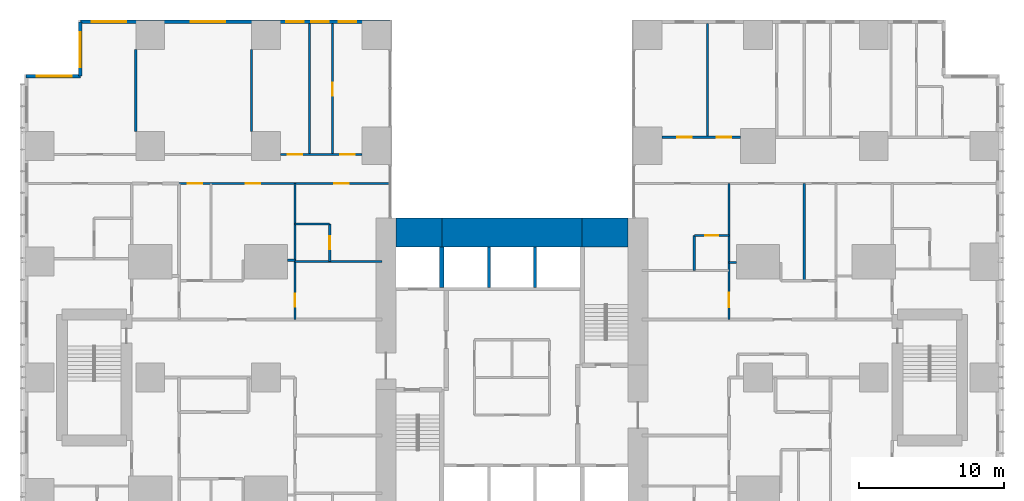
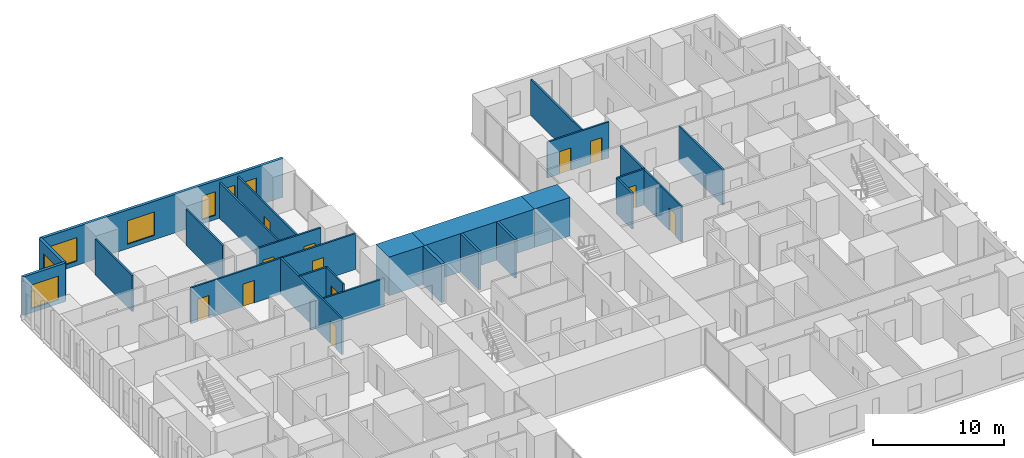
# One storey, part 17 of 20: 27 walls, 12 doors, 7 windows, 19 openings.
"""IFC4 building model written with IfcOpenShell, lengths in metres."""

from ifc_helpers import new_model, si_unit, direction, frame, frame_2d, origin, place, context, subcontext, project, spatial, rectangle, extrude, material, layer, layer_set, type_object, element, fill, save


model = new_model("IFC4")

# Units and contexts
model_context = context("Model", 3, precision=1e-05, world=origin(), true_north=direction((0.0, 1.0)))
body_context = subcontext(model_context, "Body", "Model", "MODEL_VIEW")
ifc_project = project(units=[si_unit("LENGTHUNIT", "METRE"), si_unit("AREAUNIT", "SQUARE_METRE"), si_unit("VOLUMEUNIT", "CUBIC_METRE"), si_unit("PLANEANGLEUNIT", "RADIAN"), si_unit("MASSUNIT", "GRAM", prefix="KILO")], contexts=[model_context])

# Site, building, storey
site_placement = place(None, origin())
site = spatial("IfcSite", under=ifc_project, at=site_placement, CompositionType="ELEMENT")
building_placement = place(site_placement, origin())
building = spatial("IfcBuilding", under=site, at=building_placement, Name="Cleftline Residences", CompositionType="ELEMENT")
storey_placement = place(building_placement, frame((0.0, 0.0, 135.800048828125)))
storey = spatial("IfcBuildingStorey", under=building, at=storey_placement, Name="L35", CompositionType="ELEMENT", Elevation=135.800048828125)

# Walls
ifc_material_1 = material(Name="Concrete B70", Category="concrete")
ifc_layer_1 = layer(ifc_material_1, 2.0)
ifc_layer_set_1 = layer_set([ifc_layer_1], Name="CORE WALL 2000")
wall_type_1 = type_object("IfcWallType", Name="CORE WALL 2000", PredefinedType="SHEAR", material=ifc_layer_set_1)
wall_1_placement = place(storey_placement, frame((25.0, 34.0, 0.0), z_axis=(0.0, 0.0, 1.0), x_axis=(1.0, 0.0, 0.0)))
element("IfcWall", 1, at=wall_1_placement, inside=storey, type_object=wall_type_1, Name="Core wall N1", PredefinedType="SHEAR", context=body_context, shape_type="SweptSolid", body=[
    extrude(rectangle(XDim=3.14990234375, YDim=2.0, at=frame_2d((1.574951171875, 0.0))), origin(), (0.0, 0.0, 1.0), 3.599853515625),
])
wall_2_placement = place(storey_placement, frame((28.14990234375, 34.0, 0.0), z_axis=(0.0, 0.0, 1.0), x_axis=(1.0, 0.0, 0.0)))
element("IfcWall", 2, at=wall_2_placement, inside=storey, type_object=wall_type_1, Name="Core wall N2", PredefinedType="SHEAR", context=body_context, shape_type="SweptSolid", body=[
    extrude(rectangle(XDim=9.7001953125, YDim=2.0, at=frame_2d((4.85009765625, 0.0))), origin(), (0.0, 0.0, 1.0), 3.599853515625),
])
wall_3_placement = place(storey_placement, frame((37.85009765625, 34.0, 0.0), z_axis=(0.0, 0.0, 1.0), x_axis=(1.0, 0.0, 0.0)))
element("IfcWall", 3, at=wall_3_placement, inside=storey, type_object=wall_type_1, Name="Core wall N3", PredefinedType="SHEAR", context=body_context, shape_type="SweptSolid", body=[
    extrude(rectangle(XDim=3.14990234375, YDim=2.0, at=frame_2d((1.574951171875, 0.0))), origin(), (0.0, 0.0, 1.0), 3.599853515625),
])
ifc_material_2 = material(Name="Concrete B70", Category="concrete")
ifc_layer_2 = layer(ifc_material_2, 0.300048828125)
ifc_layer_set_2 = layer_set([ifc_layer_2], Name="CORE WALL 300")
wall_type_2 = type_object("IfcWallType", Name="CORE WALL 300", PredefinedType="SHEAR", material=ifc_layer_set_2)
wall_4_placement = place(storey_placement, frame((28.14990234375, 30.199951171875, 0.0), z_axis=(0.0, 0.0, 1.0), x_axis=(0.0, 1.0, 0.0)))
element("IfcWall", 4, at=wall_4_placement, inside=storey, type_object=wall_type_2, Name="Lift shaft wall", PredefinedType="SHEAR", context=body_context, shape_type="SweptSolid", body=[
    extrude(rectangle(XDim=2.800048828125, YDim=0.300048828125, at=frame_2d((1.39990234375, 0.0))), origin(), (0.0, 0.0, 1.0), 3.599853515625),
])

# Wall, openings, windows
ifc_material_3 = material(Name="Rendered reinforced concrete blockwork", Category="masonry")
ifc_layer_3 = layer(ifc_material_3, 0.25)
ifc_layer_set_3 = layer_set([ifc_layer_3], Name="EXTERNAL WALL 250")
wall_type_3 = type_object("IfcWallType", Name="EXTERNAL WALL 250", PredefinedType="SOLIDWALL", material=ifc_layer_set_3)
wall_5_placement = place(storey_placement, frame((24.574951171875, 48.574951171875, 0.0), z_axis=(0.0, 0.0, 1.0), x_axis=(-1.0, 0.0, 0.0)))
wall_5 = element("IfcWall", 5, at=wall_5_placement, inside=storey, type_object=wall_type_3, Name="External wall", PredefinedType="SOLIDWALL", context=body_context, shape_type="SweptSolid", body=[
    extrude(rectangle(XDim=21.39990234375, YDim=0.25, at=frame_2d((10.699951171875, 0.0))), origin(), (0.0, 0.0, 1.0), 3.599853515625),
])
opening_1_placement = place(wall_5_placement, frame((2.35009765625, 0.0, 0.39990234375)))
opening_1 = element("IfcOpeningElement", 6, at=opening_1_placement, cuts=wall_5, Name="Opening W11", PredefinedType="OPENING", context=body_context, shape_type="SweptSolid", body=[
    extrude(rectangle(XDim=1.199951171875, YDim=2.199951171875, at=frame_2d((0.60009765625, 1.10009765625))), frame((0.0, 0.135009765625, 0.0), z_axis=(0.0, -1.0, 0.0), x_axis=(1.0, 0.0, 0.0)), (0.0, 0.0, 1.0), 0.27001953125),
])
opening_2_placement = place(wall_5_placement, frame((4.25, 0.0, 0.39990234375)))
opening_2 = element("IfcOpeningElement", 7, at=opening_2_placement, cuts=wall_5, Name="Opening W11", PredefinedType="OPENING", context=body_context, shape_type="SweptSolid", body=[
    extrude(rectangle(XDim=1.199951171875, YDim=2.199951171875, at=frame_2d((0.60009765625, 1.10009765625))), frame((0.0, 0.135009765625, 0.0), z_axis=(0.0, -1.0, 0.0), x_axis=(1.0, 0.0, 0.0)), (0.0, 0.0, 1.0), 0.27001953125),
])
opening_3_placement = place(wall_5_placement, frame((5.97509765625, 0.0, 0.39990234375)))
opening_3 = element("IfcOpeningElement", 8, at=opening_3_placement, cuts=wall_5, Name="Opening W11", PredefinedType="OPENING", context=body_context, shape_type="SweptSolid", body=[
    extrude(rectangle(XDim=1.199951171875, YDim=2.199951171875, at=frame_2d((0.60009765625, 1.10009765625))), frame((0.0, 0.135009765625, 0.0), z_axis=(0.0, -1.0, 0.0), x_axis=(1.0, 0.0, 0.0)), (0.0, 0.0, 1.0), 0.27001953125),
])
opening_4_placement = place(wall_5_placement, frame((11.375, 0.0, 0.39990234375)))
opening_4 = element("IfcOpeningElement", 9, at=opening_4_placement, cuts=wall_5, Name="Opening W12", PredefinedType="OPENING", context=body_context, shape_type="SweptSolid", body=[
    extrude(rectangle(XDim=2.39990234375, YDim=2.199951171875, at=frame_2d((1.199951171875, 1.10009765625))), frame((0.0, 0.135009765625, 0.0), z_axis=(0.0, -1.0, 0.0), x_axis=(1.0, 0.0, 0.0)), (0.0, 0.0, 1.0), 0.27001953125),
])
opening_5_placement = place(wall_5_placement, frame((18.22509765625, 0.0, 0.39990234375)))
opening_5 = element("IfcOpeningElement", 10, at=opening_5_placement, cuts=wall_5, Name="Opening W12", PredefinedType="OPENING", context=body_context, shape_type="SweptSolid", body=[
    extrude(rectangle(XDim=2.39990234375, YDim=2.199951171875, at=frame_2d((1.199951171875, 1.10009765625))), frame((0.0, 0.135009765625, 0.0), z_axis=(0.0, -1.0, 0.0), x_axis=(1.0, 0.0, 0.0)), (0.0, 0.0, 1.0), 0.27001953125),
])
ifc_material_4 = material(Name="Aluminium frame, clear double glazing", Category="aluminium")
window_type_1 = type_object("IfcWindowType", Name="WINDOW 1200X2200", PartitioningType="DOUBLE_PANEL_VERTICAL", PredefinedType="WINDOW", material=ifc_material_4)
window_1_placement = place(opening_1_placement, origin())
window_1 = element("IfcWindow", 11, at=window_1_placement, inside=storey, type_object=window_type_1, Name="Window", OverallHeight=2.199951171875, OverallWidth=1.199951171875, PartitioningType="SINGLE_PANEL", PredefinedType="WINDOW", context=body_context, shape_type="SweptSolid", body=[
    extrude(rectangle(XDim=1.199951171875, YDim=2.199951171875, at=frame_2d((0.60009765625, 1.10009765625))), frame((0.0, 0.030029296875, 0.0), z_axis=(0.0, -1.0, 0.0), x_axis=(1.0, 0.0, 0.0)), (0.0, 0.0, 1.0), 0.06005859375),
])
fill(opening_1, window_1)
window_2_placement = place(opening_2_placement, origin())
window_2 = element("IfcWindow", 12, at=window_2_placement, inside=storey, type_object=window_type_1, Name="Window", OverallHeight=2.199951171875, OverallWidth=1.199951171875, PartitioningType="SINGLE_PANEL", PredefinedType="WINDOW", context=body_context, shape_type="SweptSolid", body=[
    extrude(rectangle(XDim=1.199951171875, YDim=2.199951171875, at=frame_2d((0.60009765625, 1.10009765625))), frame((0.0, 0.030029296875, 0.0), z_axis=(0.0, -1.0, 0.0), x_axis=(1.0, 0.0, 0.0)), (0.0, 0.0, 1.0), 0.06005859375),
])
fill(opening_2, window_2)
window_3_placement = place(opening_3_placement, origin())
window_3 = element("IfcWindow", 13, at=window_3_placement, inside=storey, type_object=window_type_1, Name="Window", OverallHeight=2.199951171875, OverallWidth=1.199951171875, PartitioningType="SINGLE_PANEL", PredefinedType="WINDOW", context=body_context, shape_type="SweptSolid", body=[
    extrude(rectangle(XDim=1.199951171875, YDim=2.199951171875, at=frame_2d((0.60009765625, 1.10009765625))), frame((0.0, 0.030029296875, 0.0), z_axis=(0.0, -1.0, 0.0), x_axis=(1.0, 0.0, 0.0)), (0.0, 0.0, 1.0), 0.06005859375),
])
fill(opening_3, window_3)
ifc_material_5 = material(Name="Aluminium frame, clear double glazing", Category="aluminium")
window_type_2 = type_object("IfcWindowType", Name="WINDOW 2400X2200", PartitioningType="DOUBLE_PANEL_VERTICAL", PredefinedType="WINDOW", material=ifc_material_5)
window_4_placement = place(opening_4_placement, origin())
window_4 = element("IfcWindow", 14, at=window_4_placement, inside=storey, type_object=window_type_2, Name="Window", OverallHeight=2.199951171875, OverallWidth=2.39990234375, PartitioningType="SINGLE_PANEL", PredefinedType="WINDOW", context=body_context, shape_type="SweptSolid", body=[
    extrude(rectangle(XDim=2.39990234375, YDim=2.199951171875, at=frame_2d((1.199951171875, 1.10009765625))), frame((0.0, 0.030029296875, 0.0), z_axis=(0.0, -1.0, 0.0), x_axis=(1.0, 0.0, 0.0)), (0.0, 0.0, 1.0), 0.06005859375),
])
fill(opening_4, window_4)
window_5_placement = place(opening_5_placement, origin())
window_5 = element("IfcWindow", 15, at=window_5_placement, inside=storey, type_object=window_type_2, Name="Window", OverallHeight=2.199951171875, OverallWidth=2.39990234375, PartitioningType="SINGLE_PANEL", PredefinedType="WINDOW", context=body_context, shape_type="SweptSolid", body=[
    extrude(rectangle(XDim=2.39990234375, YDim=2.199951171875, at=frame_2d((1.199951171875, 1.10009765625))), frame((0.0, 0.030029296875, 0.0), z_axis=(0.0, -1.0, 0.0), x_axis=(1.0, 0.0, 0.0)), (0.0, 0.0, 1.0), 0.06005859375),
])
fill(opening_5, window_5)

# Wall, opening, window
wall_6_placement = place(storey_placement, frame((3.175048828125, 48.574951171875, 0.0), z_axis=(0.0, 0.0, 1.0), x_axis=(0.0, -1.0, 0.0)))
wall_6 = element("IfcWall", 16, at=wall_6_placement, inside=storey, type_object=wall_type_3, Name="External wall", PredefinedType="SOLIDWALL", context=body_context, shape_type="SweptSolid", body=[
    extrude(rectangle(XDim=3.75, YDim=0.25, at=frame_2d((1.875, 0.0))), origin(), (0.0, 0.0, 1.0), 3.599853515625),
])
opening_6_placement = place(wall_6_placement, frame((0.737548828125, 0.0, 0.39990234375)))
opening_6 = element("IfcOpeningElement", 17, at=opening_6_placement, cuts=wall_6, Name="Opening W12", PredefinedType="OPENING", context=body_context, shape_type="SweptSolid", body=[
    extrude(rectangle(XDim=2.39990234375, YDim=2.199951171875, at=frame_2d((1.199951171875, 1.10009765625))), frame((0.0, 0.135009765625, 0.0), z_axis=(0.0, -1.0, 0.0), x_axis=(1.0, 0.0, 0.0)), (0.0, 0.0, 1.0), 0.27001953125),
])
window_6_placement = place(opening_6_placement, origin())
window_6 = element("IfcWindow", 18, at=window_6_placement, inside=storey, type_object=window_type_2, Name="Window", OverallHeight=2.199951171875, OverallWidth=2.39990234375, PartitioningType="SINGLE_PANEL", PredefinedType="WINDOW", context=body_context, shape_type="SweptSolid", body=[
    extrude(rectangle(XDim=2.39990234375, YDim=2.199951171875, at=frame_2d((1.199951171875, 1.10009765625))), frame((0.0, 0.030029296875, 0.0), z_axis=(0.0, -1.0, 0.0), x_axis=(1.0, 0.0, 0.0)), (0.0, 0.0, 1.0), 0.06005859375),
])
fill(opening_6, window_6)

wall_7_placement = place(storey_placement, frame((3.175048828125, 44.824951171875, 0.0), z_axis=(0.0, 0.0, 1.0), x_axis=(-1.0, 0.0, 0.0)))
wall_7 = element("IfcWall", 19, at=wall_7_placement, inside=storey, type_object=wall_type_3, Name="External wall", PredefinedType="SOLIDWALL", context=body_context, shape_type="SweptSolid", body=[
    extrude(rectangle(XDim=3.75, YDim=0.25, at=frame_2d((1.875, 0.0))), origin(), (0.0, 0.0, 1.0), 3.599853515625),
])
opening_7_placement = place(wall_7_placement, frame((0.612548828125, 0.0, 0.39990234375)))
opening_7 = element("IfcOpeningElement", 20, at=opening_7_placement, cuts=wall_7, Name="Opening W12", PredefinedType="OPENING", context=body_context, shape_type="SweptSolid", body=[
    extrude(rectangle(XDim=2.39990234375, YDim=2.199951171875, at=frame_2d((1.199951171875, 1.10009765625))), frame((0.0, 0.135009765625, 0.0), z_axis=(0.0, -1.0, 0.0), x_axis=(1.0, 0.0, 0.0)), (0.0, 0.0, 1.0), 0.27001953125),
])
window_7_placement = place(opening_7_placement, origin())
window_7 = element("IfcWindow", 21, at=window_7_placement, inside=storey, type_object=window_type_2, Name="Window", OverallHeight=2.199951171875, OverallWidth=2.39990234375, PartitioningType="SINGLE_PANEL", PredefinedType="WINDOW", context=body_context, shape_type="SweptSolid", body=[
    extrude(rectangle(XDim=2.39990234375, YDim=2.199951171875, at=frame_2d((1.199951171875, 1.10009765625))), frame((0.0, 0.030029296875, 0.0), z_axis=(0.0, -1.0, 0.0), x_axis=(1.0, 0.0, 0.0)), (0.0, 0.0, 1.0), 0.06005859375),
])
fill(opening_7, window_7)

# Walls
ifc_material_6 = material(Name="Gypsum board on steel studs", Category="steel")
ifc_layer_4 = layer(ifc_material_6, 0.14990234375)
ifc_layer_set_4 = layer_set([ifc_layer_4], Name="PARTITION 150")
wall_type_4 = type_object("IfcWallType", Name="PARTITION 150", PredefinedType="PARTITIONING", material=ifc_layer_set_4)
wall_8_placement = place(storey_placement, frame((48.0, 31.949951171875, 0.0), z_axis=(0.0, 0.0, 1.0), x_axis=(1.0, 0.0, 0.0)))
element("IfcWall", 22, at=wall_8_placement, inside=storey, type_object=wall_type_4, Name="Partition", PredefinedType="PARTITIONING", context=body_context, shape_type="SweptSolid", body=[
    extrude(rectangle(XDim=0.5, YDim=0.14990234375, at=frame_2d((0.25, 0.0))), origin(), (0.0, 0.0, 1.0), 2.634033203125),
])
wall_9_placement = place(storey_placement, frame((18.0, 32.0, 0.0), z_axis=(0.0, 0.0, 1.0), x_axis=(1.0, 0.0, 0.0)))
element("IfcWall", 23, at=wall_9_placement, inside=storey, type_object=wall_type_4, Name="Partition", PredefinedType="PARTITIONING", context=body_context, shape_type="SweptSolid", body=[
    extrude(rectangle(XDim=6.0, YDim=0.14990234375, at=frame_2d((3.0, 0.0))), origin(), (0.0, 0.0, 1.0), 2.634033203125),
])
wall_10_placement = place(storey_placement, frame((17.5, 32.10009765625, 0.0), z_axis=(0.0, 0.0, 1.0), x_axis=(1.0, 0.0, 0.0)))
element("IfcWall", 24, at=wall_10_placement, inside=storey, type_object=wall_type_4, Name="Partition", PredefinedType="PARTITIONING", context=body_context, shape_type="SweptSolid", body=[
    extrude(rectangle(XDim=0.5, YDim=0.14990234375, at=frame_2d((0.25, 0.0))), origin(), (0.0, 0.0, 1.0), 2.634033203125),
])

# Wall, opening, door
wall_11_placement = place(storey_placement, frame((45.60009765625, 33.800048828125, 0.0), z_axis=(0.0, 0.0, 1.0), x_axis=(1.0, 0.0, 0.0)))
wall_11 = element("IfcWall", 25, at=wall_11_placement, inside=storey, type_object=wall_type_4, Name="Partition", PredefinedType="PARTITIONING", context=body_context, shape_type="SweptSolid", body=[
    extrude(rectangle(XDim=2.39990234375, YDim=0.14990234375, at=frame_2d((1.199951171875, 0.0))), origin(), (0.0, 0.0, 1.0), 3.349853515625),
])
opening_8_placement = place(wall_11_placement, frame((0.75, 0.0, 0.0)))
opening_8 = element("IfcOpeningElement", 26, at=opening_8_placement, cuts=wall_11, Name="Opening D1", PredefinedType="OPENING", context=body_context, shape_type="SweptSolid", body=[
    extrude(rectangle(XDim=0.89990234375, YDim=2.10009765625, at=frame_2d((0.449951171875, 1.050048828125))), frame((0.0, 0.0849609375, 0.0), z_axis=(0.0, -1.0, 0.0), x_axis=(1.0, 0.0, 0.0)), (0.0, 0.0, 1.0), 0.169921875),
])
ifc_material_7 = material(Name="Timber veneer on solid core", Category="wood")
door_type_1 = type_object("IfcDoorType", Name="DOOR 900X2100", OperationType="SINGLE_SWING_LEFT", PredefinedType="DOOR", material=ifc_material_7)
door_1_placement = place(opening_8_placement, origin())
door_1 = element("IfcDoor", 27, at=door_1_placement, inside=storey, type_object=door_type_1, Name="Door to staff shower room", OperationType="SINGLE_SWING_LEFT", OverallHeight=2.10009765625, OverallWidth=0.89990234375, PredefinedType="DOOR", context=body_context, shape_type="SweptSolid", body=[
    extrude(rectangle(XDim=0.89990234375, YDim=2.10009765625, at=frame_2d((0.449951171875, 1.050048828125))), frame((0.0, 0.02490234375, 0.0), z_axis=(0.0, -1.0, 0.0), x_axis=(1.0, 0.0, 0.0)), (0.0, 0.0, 1.0), 0.050048828125),
])
fill(opening_8, door_1)

# Wall
wall_12_placement = place(storey_placement, frame((18.0, 34.60009765625, 0.0), z_axis=(0.0, 0.0, 1.0), x_axis=(1.0, 0.0, 0.0)))
element("IfcWall", 28, at=wall_12_placement, inside=storey, type_object=wall_type_4, Name="Partition", PredefinedType="PARTITIONING", context=body_context, shape_type="SweptSolid", body=[
    extrude(rectangle(XDim=2.39990234375, YDim=0.14990234375, at=frame_2d((1.199951171875, 0.0))), origin(), (0.0, 0.0, 1.0), 3.349853515625),
])

# Wall, openings, doors
wall_13_placement = place(storey_placement, frame((10.0, 37.39990234375, 0.0), z_axis=(0.0, 0.0, 1.0), x_axis=(1.0, 0.0, 0.0)))
wall_13 = element("IfcWall", 29, at=wall_13_placement, inside=storey, type_object=wall_type_4, Name="Partition", PredefinedType="PARTITIONING", context=body_context, shape_type="SweptSolid", body=[
    extrude(rectangle(XDim=14.56103515625, YDim=0.14990234375, at=frame_2d((7.280517578125, 0.0))), origin(), (0.0, 0.0, 1.0), 3.349853515625),
])
opening_9_placement = place(wall_13_placement, frame((0.60009765625, 0.0, 0.0)))
opening_9 = element("IfcOpeningElement", 30, at=opening_9_placement, cuts=wall_13, Name="Opening D2F30", PredefinedType="OPENING", context=body_context, shape_type="SweptSolid", body=[
    extrude(rectangle(XDim=1.0, YDim=2.10009765625, at=frame_2d((0.5, 1.050048828125))), frame((0.0, 0.0849609375, 0.0), z_axis=(0.0, -1.0, 0.0), x_axis=(1.0, 0.0, 0.0)), (0.0, 0.0, 1.0), 0.169921875),
])
opening_10_placement = place(wall_13_placement, frame((4.60009765625, 0.0, 0.0)))
opening_10 = element("IfcOpeningElement", 31, at=opening_10_placement, cuts=wall_13, Name="Opening D2F30", PredefinedType="OPENING", context=body_context, shape_type="SweptSolid", body=[
    extrude(rectangle(XDim=1.0, YDim=2.10009765625, at=frame_2d((0.5, 1.050048828125))), frame((0.0, 0.0849609375, 0.0), z_axis=(0.0, -1.0, 0.0), x_axis=(1.0, 0.0, 0.0)), (0.0, 0.0, 1.0), 0.169921875),
])
opening_11_placement = place(wall_13_placement, frame((10.72509765625, 0.0, 0.0)))
opening_11 = element("IfcOpeningElement", 32, at=opening_11_placement, cuts=wall_13, Name="Opening D2F30", PredefinedType="OPENING", context=body_context, shape_type="SweptSolid", body=[
    extrude(rectangle(XDim=1.0, YDim=2.10009765625, at=frame_2d((0.5, 1.050048828125))), frame((0.0, 0.0849609375, 0.0), z_axis=(0.0, -1.0, 0.0), x_axis=(1.0, 0.0, 0.0)), (0.0, 0.0, 1.0), 0.169921875),
])
ifc_material_8 = material(Name="Timber veneer on solid core", Category="wood")
door_type_2 = type_object("IfcDoorType", Name="DOOR 1000X2100 EI 30", OperationType="SINGLE_SWING_LEFT", PredefinedType="DOOR", material=ifc_material_8)
door_2_placement = place(opening_9_placement, origin())
door_2 = element("IfcDoor", 33, at=door_2_placement, inside=storey, type_object=door_type_2, Name="Door to residence hall (gallery)", OperationType="SINGLE_SWING_RIGHT", OverallHeight=2.10009765625, OverallWidth=1.0, PredefinedType="DOOR", context=body_context, shape_type="SweptSolid", body=[
    extrude(rectangle(XDim=1.0, YDim=2.10009765625, at=frame_2d((0.5, 1.050048828125))), frame((0.0, 0.02490234375, 0.0), z_axis=(0.0, -1.0, 0.0), x_axis=(1.0, 0.0, 0.0)), (0.0, 0.0, 1.0), 0.050048828125),
])
fill(opening_9, door_2)
door_3_placement = place(opening_10_placement, origin())
door_3 = element("IfcDoor", 34, at=door_3_placement, inside=storey, type_object=door_type_2, Name="Door to study", OperationType="SINGLE_SWING_RIGHT", OverallHeight=2.10009765625, OverallWidth=1.0, PredefinedType="DOOR", context=body_context, shape_type="SweptSolid", body=[
    extrude(rectangle(XDim=1.0, YDim=2.10009765625, at=frame_2d((0.5, 1.050048828125))), frame((0.0, 0.02490234375, 0.0), z_axis=(0.0, -1.0, 0.0), x_axis=(1.0, 0.0, 0.0)), (0.0, 0.0, 1.0), 0.050048828125),
])
fill(opening_10, door_3)
door_4_placement = place(opening_11_placement, origin())
door_4 = element("IfcDoor", 35, at=door_4_placement, inside=storey, type_object=door_type_2, Name="Door to bedroom 2", OperationType="SINGLE_SWING_LEFT", OverallHeight=2.10009765625, OverallWidth=1.0, PredefinedType="DOOR", context=body_context, shape_type="SweptSolid", body=[
    extrude(rectangle(XDim=1.0, YDim=2.10009765625, at=frame_2d((0.5, 1.050048828125))), frame((0.0, 0.02490234375, 0.0), z_axis=(0.0, -1.0, 0.0), x_axis=(1.0, 0.0, 0.0)), (0.0, 0.0, 1.0), 0.050048828125),
])
fill(opening_11, door_4)

wall_14_placement = place(storey_placement, frame((17.0, 39.39990234375, 0.0), z_axis=(0.0, 0.0, 1.0), x_axis=(1.0, 0.0, 0.0)))
wall_14 = element("IfcWall", 36, at=wall_14_placement, inside=storey, type_object=wall_type_4, Name="Partition", PredefinedType="PARTITIONING", context=body_context, shape_type="SweptSolid", body=[
    extrude(rectangle(XDim=5.64990234375, YDim=0.14990234375, at=frame_2d((2.824951171875, 0.0))), origin(), (0.0, 0.0, 1.0), 3.349853515625),
])
opening_12_placement = place(wall_14_placement, frame((0.5, 0.0, 0.0)))
opening_12 = element("IfcOpeningElement", 37, at=opening_12_placement, cuts=wall_14, Name="Opening D2", PredefinedType="OPENING", context=body_context, shape_type="SweptSolid", body=[
    extrude(rectangle(XDim=1.0, YDim=2.10009765625, at=frame_2d((0.5, 1.050048828125))), frame((0.0, 0.0849609375, 0.0), z_axis=(0.0, -1.0, 0.0), x_axis=(1.0, 0.0, 0.0)), (0.0, 0.0, 1.0), 0.169921875),
])
opening_13_placement = place(wall_14_placement, frame((4.125, 0.0, 0.0)))
opening_13 = element("IfcOpeningElement", 38, at=opening_13_placement, cuts=wall_14, Name="Opening D2", PredefinedType="OPENING", context=body_context, shape_type="SweptSolid", body=[
    extrude(rectangle(XDim=1.0, YDim=2.10009765625, at=frame_2d((0.5, 1.050048828125))), frame((0.0, 0.0849609375, 0.0), z_axis=(0.0, -1.0, 0.0), x_axis=(1.0, 0.0, 0.0)), (0.0, 0.0, 1.0), 0.169921875),
])
ifc_material_9 = material(Name="Timber veneer on solid core", Category="wood")
door_type_3 = type_object("IfcDoorType", Name="DOOR 1000X2100", OperationType="SINGLE_SWING_LEFT", PredefinedType="DOOR", material=ifc_material_9)
door_5_placement = place(opening_12_placement, origin())
door_5 = element("IfcDoor", 39, at=door_5_placement, inside=storey, type_object=door_type_3, Name="Door to dining room", OperationType="SINGLE_SWING_RIGHT", OverallHeight=2.10009765625, OverallWidth=1.0, PredefinedType="DOOR", context=body_context, shape_type="SweptSolid", body=[
    extrude(rectangle(XDim=1.0, YDim=2.10009765625, at=frame_2d((0.5, 1.050048828125))), frame((0.0, 0.02490234375, 0.0), z_axis=(0.0, -1.0, 0.0), x_axis=(1.0, 0.0, 0.0)), (0.0, 0.0, 1.0), 0.050048828125),
])
fill(opening_12, door_5)
door_6_placement = place(opening_13_placement, origin())
door_6 = element("IfcDoor", 40, at=door_6_placement, inside=storey, type_object=door_type_3, Name="Door to show kitchen", OperationType="SINGLE_SWING_LEFT", OverallHeight=2.10009765625, OverallWidth=1.0, PredefinedType="DOOR", context=body_context, shape_type="SweptSolid", body=[
    extrude(rectangle(XDim=1.0, YDim=2.10009765625, at=frame_2d((0.5, 1.050048828125))), frame((0.0, 0.02490234375, 0.0), z_axis=(0.0, -1.0, 0.0), x_axis=(1.0, 0.0, 0.0)), (0.0, 0.0, 1.0), 0.050048828125),
])
fill(opening_13, door_6)

wall_15_placement = place(storey_placement, frame((43.35009765625, 40.60009765625, 0.0), z_axis=(0.0, 0.0, 1.0), x_axis=(1.0, 0.0, 0.0)))
wall_15 = element("IfcWall", 41, at=wall_15_placement, inside=storey, type_object=wall_type_4, Name="Partition", PredefinedType="PARTITIONING", context=body_context, shape_type="SweptSolid", body=[
    extrude(rectangle(XDim=5.449951171875, YDim=0.14990234375, at=frame_2d((2.72509765625, 0.0))), origin(), (0.0, 0.0, 1.0), 3.349853515625),
])
opening_14_placement = place(wall_15_placement, frame((3.800048828125, 0.0, 0.0)))
opening_14 = element("IfcOpeningElement", 42, at=opening_14_placement, cuts=wall_15, Name="Opening D2", PredefinedType="OPENING", context=body_context, shape_type="SweptSolid", body=[
    extrude(rectangle(XDim=1.0, YDim=2.10009765625, at=frame_2d((0.5, 1.050048828125))), frame((0.0, 0.0849609375, 0.0), z_axis=(0.0, -1.0, 0.0), x_axis=(1.0, 0.0, 0.0)), (0.0, 0.0, 1.0), 0.169921875),
])
opening_15_placement = place(wall_15_placement, frame((1.074951171875, 0.0, 0.0)))
opening_15 = element("IfcOpeningElement", 43, at=opening_15_placement, cuts=wall_15, Name="Opening D2", PredefinedType="OPENING", context=body_context, shape_type="SweptSolid", body=[
    extrude(rectangle(XDim=1.0, YDim=2.10009765625, at=frame_2d((0.5, 1.050048828125))), frame((0.0, 0.0849609375, 0.0), z_axis=(0.0, -1.0, 0.0), x_axis=(1.0, 0.0, 0.0)), (0.0, 0.0, 1.0), 0.169921875),
])
door_7_placement = place(opening_14_placement, origin())
door_7 = element("IfcDoor", 44, at=door_7_placement, inside=storey, type_object=door_type_3, Name="Door to bedroom 4", OperationType="SINGLE_SWING_LEFT", OverallHeight=2.10009765625, OverallWidth=1.0, PredefinedType="DOOR", context=body_context, shape_type="SweptSolid", body=[
    extrude(rectangle(XDim=1.0, YDim=2.10009765625, at=frame_2d((0.5, 1.050048828125))), frame((0.0, 0.02490234375, 0.0), z_axis=(0.0, -1.0, 0.0), x_axis=(1.0, 0.0, 0.0)), (0.0, 0.0, 1.0), 0.050048828125),
])
fill(opening_14, door_7)
door_8_placement = place(opening_15_placement, origin())
door_8 = element("IfcDoor", 45, at=door_8_placement, inside=storey, type_object=door_type_3, Name="Door to bedroom 4 sitting room", OperationType="SINGLE_SWING_RIGHT", OverallHeight=2.10009765625, OverallWidth=1.0, PredefinedType="DOOR", context=body_context, shape_type="SweptSolid", body=[
    extrude(rectangle(XDim=1.0, YDim=2.10009765625, at=frame_2d((0.5, 1.050048828125))), frame((0.0, 0.02490234375, 0.0), z_axis=(0.0, -1.0, 0.0), x_axis=(1.0, 0.0, 0.0)), (0.0, 0.0, 1.0), 0.050048828125),
])
fill(opening_15, door_8)

# Walls
for number, where, z_axis, x_axis, name in (
    (46, (7.0, 41.0, 0.0), (0.0, 0.0, 1.0), (0.0, 1.0, 0.0), "Partition"),
    (47, (15.0, 41.0, 0.0), (0.0, 0.0, 1.0), (0.0, 1.0, 0.0), "Partition"),
):
    element("IfcWall", number, at=place(storey_placement, frame(where, z_axis=z_axis, x_axis=x_axis)), inside=storey, type_object=wall_type_4, Name=name, PredefinedType="PARTITIONING", context=body_context, shape_type="SweptSolid", body=[
        extrude(rectangle(XDim=5.64990234375, YDim=0.14990234375, at=frame_2d((2.824951171875, 0.0))), origin(), (0.0, 0.0, 1.0), 3.349853515625),
    ])

# Wall, opening, door
wall_16_placement = place(storey_placement, frame((18.0, 28.0, 0.0), z_axis=(0.0, 0.0, 1.0), x_axis=(0.0, 1.0, 0.0)))
wall_16 = element("IfcWall", 48, at=wall_16_placement, inside=storey, type_object=wall_type_4, Name="Partition", PredefinedType="PARTITIONING", context=body_context, shape_type="SweptSolid", body=[
    extrude(rectangle(XDim=9.39990234375, YDim=0.14990234375, at=frame_2d((4.699951171875, 0.0))), origin(), (0.0, 0.0, 1.0), 3.349853515625),
])
opening_16_placement = place(wall_16_placement, frame((0.887451171875, 0.0, 0.0)))
opening_16 = element("IfcOpeningElement", 49, at=opening_16_placement, cuts=wall_16, Name="Opening D1", PredefinedType="OPENING", context=body_context, shape_type="SweptSolid", body=[
    extrude(rectangle(XDim=0.89990234375, YDim=2.10009765625, at=frame_2d((0.449951171875, 1.050048828125))), frame((0.0, 0.0849609375, 0.0), z_axis=(0.0, -1.0, 0.0), x_axis=(1.0, 0.0, 0.0)), (0.0, 0.0, 1.0), 0.169921875),
])
door_9_placement = place(opening_16_placement, origin())
door_9 = element("IfcDoor", 50, at=door_9_placement, inside=storey, type_object=door_type_1, Name="Door to utility room", OperationType="SINGLE_SWING_RIGHT", OverallHeight=2.10009765625, OverallWidth=0.89990234375, PredefinedType="DOOR", context=body_context, shape_type="SweptSolid", body=[
    extrude(rectangle(XDim=0.89990234375, YDim=2.10009765625, at=frame_2d((0.449951171875, 1.050048828125))), frame((0.0, 0.02490234375, 0.0), z_axis=(0.0, -1.0, 0.0), x_axis=(1.0, 0.0, 0.0)), (0.0, 0.0, 1.0), 0.050048828125),
])
fill(opening_16, door_9)

# Wall
wall_17_placement = place(storey_placement, frame((19.0, 39.39990234375, 0.0), z_axis=(0.0, 0.0, 1.0), x_axis=(0.0, 1.0, 0.0)))
element("IfcWall", 51, at=wall_17_placement, inside=storey, type_object=wall_type_4, Name="Partition", PredefinedType="PARTITIONING", context=body_context, shape_type="SweptSolid", body=[
    extrude(rectangle(XDim=9.050048828125, YDim=0.14990234375, at=frame_2d((4.52490234375, 0.0))), origin(), (0.0, 0.0, 1.0), 3.349853515625),
])

# Wall, opening, door
wall_18_placement = place(storey_placement, frame((20.39990234375, 32.0, 0.0), z_axis=(0.0, 0.0, 1.0), x_axis=(0.0, 1.0, 0.0)))
wall_18 = element("IfcWall", 52, at=wall_18_placement, inside=storey, type_object=wall_type_4, Name="Partition", PredefinedType="PARTITIONING", context=body_context, shape_type="SweptSolid", body=[
    extrude(rectangle(XDim=2.60009765625, YDim=0.14990234375, at=frame_2d((1.300048828125, 0.0))), origin(), (0.0, 0.0, 1.0), 3.349853515625),
])
opening_17_placement = place(wall_18_placement, frame((0.85009765625, 0.0, 0.0)))
opening_17 = element("IfcOpeningElement", 53, at=opening_17_placement, cuts=wall_18, Name="Opening D1", PredefinedType="OPENING", context=body_context, shape_type="SweptSolid", body=[
    extrude(rectangle(XDim=0.89990234375, YDim=2.10009765625, at=frame_2d((0.449951171875, 1.050048828125))), frame((0.0, 0.0849609375, 0.0), z_axis=(0.0, -1.0, 0.0), x_axis=(1.0, 0.0, 0.0)), (0.0, 0.0, 1.0), 0.169921875),
])
door_10_placement = place(opening_17_placement, origin())
door_10 = element("IfcDoor", 54, at=door_10_placement, inside=storey, type_object=door_type_1, Name="Door to en-suite bathroom 2", OperationType="SINGLE_SWING_LEFT", OverallHeight=2.10009765625, OverallWidth=0.89990234375, PredefinedType="DOOR", context=body_context, shape_type="SweptSolid", body=[
    extrude(rectangle(XDim=0.89990234375, YDim=2.10009765625, at=frame_2d((0.449951171875, 1.050048828125))), frame((0.0, 0.02490234375, 0.0), z_axis=(0.0, -1.0, 0.0), x_axis=(1.0, 0.0, 0.0)), (0.0, 0.0, 1.0), 0.050048828125),
])
fill(opening_17, door_10)

wall_19_placement = place(storey_placement, frame((20.60009765625, 39.39990234375, 0.0), z_axis=(0.0, 0.0, 1.0), x_axis=(0.0, 1.0, 0.0)))
wall_19 = element("IfcWall", 55, at=wall_19_placement, inside=storey, type_object=wall_type_4, Name="Partition", PredefinedType="PARTITIONING", context=body_context, shape_type="SweptSolid", body=[
    extrude(rectangle(XDim=9.050048828125, YDim=0.14990234375, at=frame_2d((4.52490234375, 0.0))), origin(), (0.0, 0.0, 1.0), 3.349853515625),
])
opening_18_placement = place(wall_19_placement, frame((4.074951171875, 0.0, 0.0)))
opening_18 = element("IfcOpeningElement", 56, at=opening_18_placement, cuts=wall_19, Name="Opening D1", PredefinedType="OPENING", context=body_context, shape_type="SweptSolid", body=[
    extrude(rectangle(XDim=0.89990234375, YDim=2.10009765625, at=frame_2d((0.449951171875, 1.050048828125))), frame((0.0, 0.0849609375, 0.0), z_axis=(0.0, -1.0, 0.0), x_axis=(1.0, 0.0, 0.0)), (0.0, 0.0, 1.0), 0.169921875),
])
door_11_placement = place(opening_18_placement, origin())
door_11 = element("IfcDoor", 57, at=door_11_placement, inside=storey, type_object=door_type_1, Name="Door to kitchen store", OperationType="SINGLE_SWING_LEFT", OverallHeight=2.10009765625, OverallWidth=0.89990234375, PredefinedType="DOOR", context=body_context, shape_type="SweptSolid", body=[
    extrude(rectangle(XDim=0.89990234375, YDim=2.10009765625, at=frame_2d((0.449951171875, 1.050048828125))), frame((0.0, 0.02490234375, 0.0), z_axis=(0.0, -1.0, 0.0), x_axis=(1.0, 0.0, 0.0)), (0.0, 0.0, 1.0), 0.050048828125),
])
fill(opening_18, door_11)

# Walls
wall_20_placement = place(storey_placement, frame((45.60009765625, 31.39990234375, 0.0), z_axis=(0.0, 0.0, 1.0), x_axis=(0.0, 1.0, 0.0)))
element("IfcWall", 58, at=wall_20_placement, inside=storey, type_object=wall_type_4, Name="Partition", PredefinedType="PARTITIONING", context=body_context, shape_type="SweptSolid", body=[
    extrude(rectangle(XDim=2.400146484375, YDim=0.14990234375, at=frame_2d((1.2001953125, 0.0))), origin(), (0.0, 0.0, 1.0), 3.349853515625),
])
wall_21_placement = place(storey_placement, frame((46.5, 40.60009765625, 0.0), z_axis=(0.0, 0.0, 1.0), x_axis=(0.0, 1.0, 0.0)))
element("IfcWall", 59, at=wall_21_placement, inside=storey, type_object=wall_type_4, Name="Partition", PredefinedType="PARTITIONING", context=body_context, shape_type="SweptSolid", body=[
    extrude(rectangle(XDim=7.849853515625, YDim=0.14990234375, at=frame_2d((3.9248046875, 0.0))), origin(), (0.0, 0.0, 1.0), 3.349853515625),
])

# Wall, opening, door
wall_22_placement = place(storey_placement, frame((48.0, 28.0, 0.0), z_axis=(0.0, 0.0, 1.0), x_axis=(0.0, 1.0, 0.0)))
wall_22 = element("IfcWall", 60, at=wall_22_placement, inside=storey, type_object=wall_type_4, Name="Partition", PredefinedType="PARTITIONING", context=body_context, shape_type="SweptSolid", body=[
    extrude(rectangle(XDim=9.39990234375, YDim=0.14990234375, at=frame_2d((4.699951171875, 0.0))), origin(), (0.0, 0.0, 1.0), 3.349853515625),
])
opening_19_placement = place(wall_22_placement, frame((0.83740234375, 0.0, 0.0)))
opening_19 = element("IfcOpeningElement", 61, at=opening_19_placement, cuts=wall_22, Name="Opening D2", PredefinedType="OPENING", context=body_context, shape_type="SweptSolid", body=[
    extrude(rectangle(XDim=1.0, YDim=2.10009765625, at=frame_2d((0.5, 1.050048828125))), frame((0.0, 0.0849609375, 0.0), z_axis=(0.0, -1.0, 0.0), x_axis=(1.0, 0.0, 0.0)), (0.0, 0.0, 1.0), 0.169921875),
])
door_12_placement = place(opening_19_placement, origin())
door_12 = element("IfcDoor", 62, at=door_12_placement, inside=storey, type_object=door_type_3, Name="Door to morning kitchen", OperationType="SINGLE_SWING_RIGHT", OverallHeight=2.10009765625, OverallWidth=1.0, PredefinedType="DOOR", context=body_context, shape_type="SweptSolid", body=[
    extrude(rectangle(XDim=1.0, YDim=2.10009765625, at=frame_2d((0.5, 1.050048828125))), frame((0.0, 0.02490234375, 0.0), z_axis=(0.0, -1.0, 0.0), x_axis=(1.0, 0.0, 0.0)), (0.0, 0.0, 1.0), 0.050048828125),
])
fill(opening_19, door_12)

# Walls
wall_23_placement = place(storey_placement, frame((53.199951171875, 30.675048828125, 0.0), z_axis=(0.0, 0.0, 1.0), x_axis=(0.0, 1.0, 0.0)))
element("IfcWall", 63, at=wall_23_placement, inside=storey, type_object=wall_type_4, Name="Partition", PredefinedType="PARTITIONING", context=body_context, shape_type="SweptSolid", body=[
    extrude(rectangle(XDim=6.724853515625, YDim=0.14990234375, at=frame_2d((3.3623046875, 0.0))), origin(), (0.0, 0.0, 1.0), 3.349853515625),
])
ifc_material_10 = material(Name="Concrete blockwork, fire rated", Category="masonry")
ifc_layer_5 = layer(ifc_material_10, 0.199951171875)
ifc_layer_set_5 = layer_set([ifc_layer_5], Name="SHAFT WALL 200")
wall_type_5 = type_object("IfcWallType", Name="SHAFT WALL 200", PredefinedType="PARTITIONING", material=ifc_layer_set_5)
for number, where, z_axis, x_axis, name in (
    (64, (31.39990234375, 30.199951171875, 0.0), (0.0, 0.0, 1.0), (0.0, 1.0, 0.0), "Lift shaft wall"),
    (65, (34.60009765625, 30.199951171875, 0.0), (0.0, 0.0, 1.0), (0.0, 1.0, 0.0), "Lift shaft wall"),
):
    element("IfcWall", number, at=place(storey_placement, frame(where, z_axis=z_axis, x_axis=x_axis)), inside=storey, type_object=wall_type_5, Name=name, PredefinedType="PARTITIONING", context=body_context, shape_type="SweptSolid", body=[
        extrude(rectangle(XDim=2.800048828125, YDim=0.199951171875, at=frame_2d((1.39990234375, 0.0))), origin(), (0.0, 0.0, 1.0), 3.599853515625),
    ])

save(model, "model.ifc")
